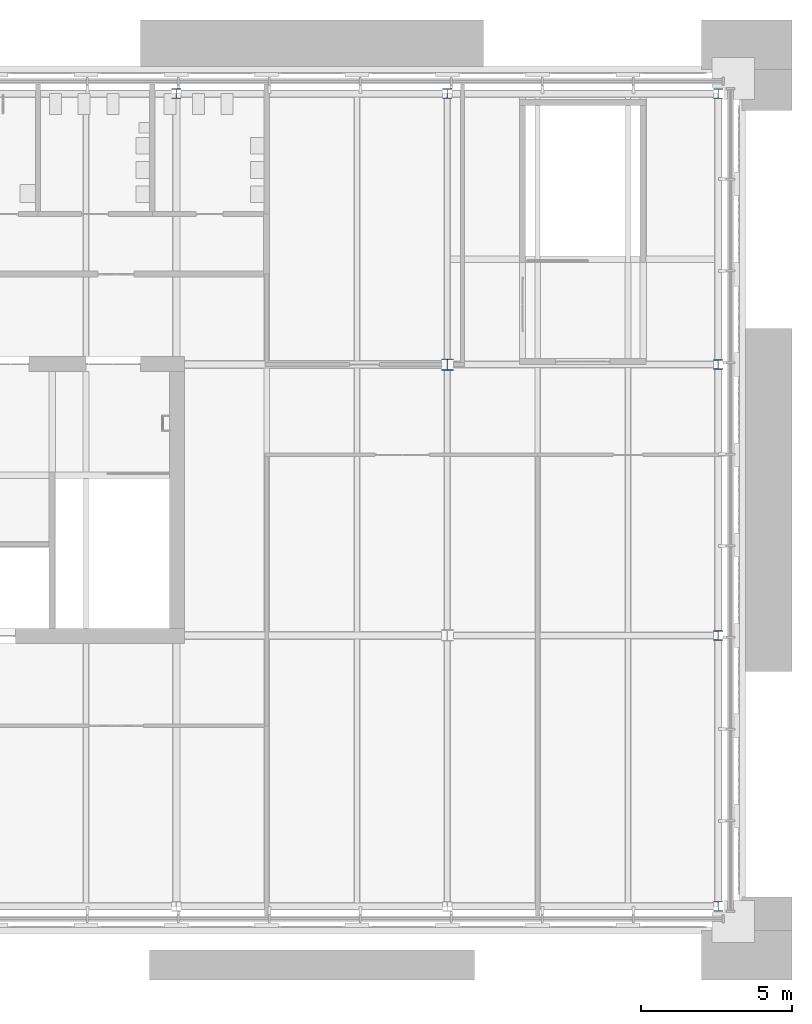
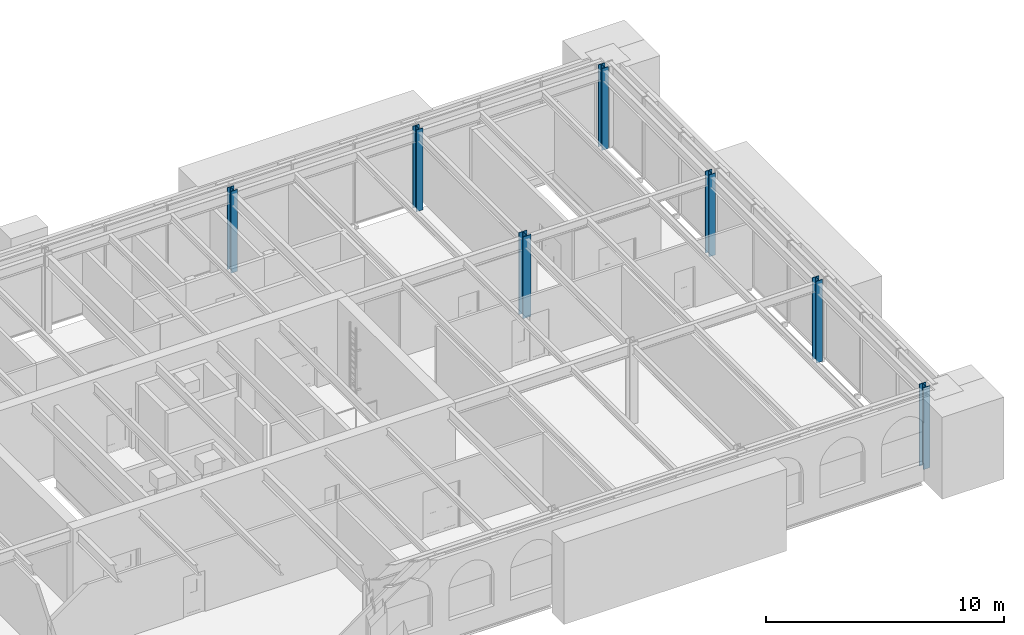
# One storey, part 2 of 24: 7 columns.
"""IFC4 building model written with IfcOpenShell, lengths in metres."""

from ifc_helpers import new_model, si_unit, direction, frame, origin, origin_2d, place, context, subcontext, project, spatial, i_section, extrude, material, material_profile, profile_set, type_object, element, save


model = new_model("IFC4")

# Units and contexts
model_context = context("Model", 3, precision=1e-05, world=origin(), true_north=direction((0.0, 1.0)))
body_context = subcontext(model_context, "Body", "Model", "MODEL_VIEW")
ifc_project = project(units=[si_unit("LENGTHUNIT", "METRE"), si_unit("AREAUNIT", "SQUARE_METRE"), si_unit("VOLUMEUNIT", "CUBIC_METRE"), si_unit("PLANEANGLEUNIT", "RADIAN"), si_unit("MASSUNIT", "GRAM", prefix="KILO")], contexts=[model_context])

# Site, building, storey
site_placement = place(None, origin())
site = spatial("IfcSite", under=ifc_project, at=site_placement, CompositionType="ELEMENT")
building_placement = place(site_placement, origin())
building = spatial("IfcBuilding", under=site, at=building_placement, Name="Baradari Gate Terminus", CompositionType="ELEMENT")
storey_placement = place(building_placement, frame((0.0, 0.0, 32.699951171875)))
storey = spatial("IfcBuildingStorey", under=building, at=storey_placement, Name="L07", CompositionType="ELEMENT", Elevation=32.699951171875)

# Columns
ifc_material_1 = material(Name="Steel S355", Category="steel")
ifc_material_profile_1 = material_profile(ifc_material_1, i_section(OverallWidth=0.394775390625, OverallDepth=0.381103515625, WebThickness=0.018310546875, FlangeThickness=0.0302734375, FilletRadius=0.01513671875, at=origin_2d()), Name="UC 356x406x235")
ifc_profile_set_1 = profile_set([ifc_material_profile_1], Name="Steel S355")
column_type_1 = type_object("IfcColumnType", Name="Operations block column C21 UC 356x406x235", PredefinedType="COLUMN", material=ifc_profile_set_1)
column_placement = place(storey_placement, frame((54.0, 135.0, 0.0), z_axis=(0.0, 0.0, 1.0), x_axis=(1.0, 0.0, 0.0)))
element("IfcColumn", 1, at=column_placement, inside=storey, type_object=column_type_1, Name="C21 column 7-R L07", PredefinedType="COLUMN", context=body_context, shape_type="SweptSolid", body=[
    extrude(i_section(OverallWidth=0.394775390625, OverallDepth=0.381103515625, WebThickness=0.018310546875, FlangeThickness=0.0302734375, FilletRadius=0.01513671875, at=origin_2d()), origin(), (0.0, 0.0, 1.0), 4.199951171875),
])
ifc_material_2 = material(Name="Steel S355", Category="steel")
ifc_material_profile_2 = material_profile(ifc_material_2, i_section(OverallWidth=0.314453125, OverallDepth=0.33984375, WebThickness=0.01904296875, FlangeThickness=0.031494140625, FilletRadius=0.01513671875, at=origin_2d()), Name="UC 305x305x198")
ifc_profile_set_2 = profile_set([ifc_material_profile_2], Name="Steel S355")
column_type_2 = type_object("IfcColumnType", Name="Operations block perimeter column C20 UC 305x305x198", PredefinedType="COLUMN", material=ifc_profile_set_2)
for number, where, z_axis, x_axis, name in (
    (2, (45.0, 144.0, 0.0), (0.0, 0.0, 1.0), (1.0, 0.0, 0.0), "C20 column 6-S L07"),
    (3, (54.0, 144.0, 0.0), (0.0, 0.0, 1.0), (1.0, 0.0, 0.0), "C20 column 7-S L07"),
    (4, (63.0, 117.0, 0.0), (0.0, 0.0, 1.0), (1.0, 0.0, 0.0), "C20 column 8-P L07"),
    (5, (63.0, 126.0, 0.0), (0.0, 0.0, 1.0), (1.0, 0.0, 0.0), "C20 column 8-Q L07"),
    (6, (63.0, 135.0, 0.0), (0.0, 0.0, 1.0), (1.0, 0.0, 0.0), "C20 column 8-R L07"),
    (7, (63.0, 144.0, 0.0), (0.0, 0.0, 1.0), (1.0, 0.0, 0.0), "C20 column 8-S L07"),
):
    element("IfcColumn", number, at=place(storey_placement, frame(where, z_axis=z_axis, x_axis=x_axis)), inside=storey, type_object=column_type_2, Name=name, PredefinedType="COLUMN", context=body_context, shape_type="SweptSolid", body=[
        extrude(i_section(OverallWidth=0.314453125, OverallDepth=0.33984375, WebThickness=0.01904296875, FlangeThickness=0.031494140625, FilletRadius=0.01513671875, at=origin_2d()), origin(), (0.0, 0.0, 1.0), 4.199951171875),
    ])

save(model, "model.ifc")
